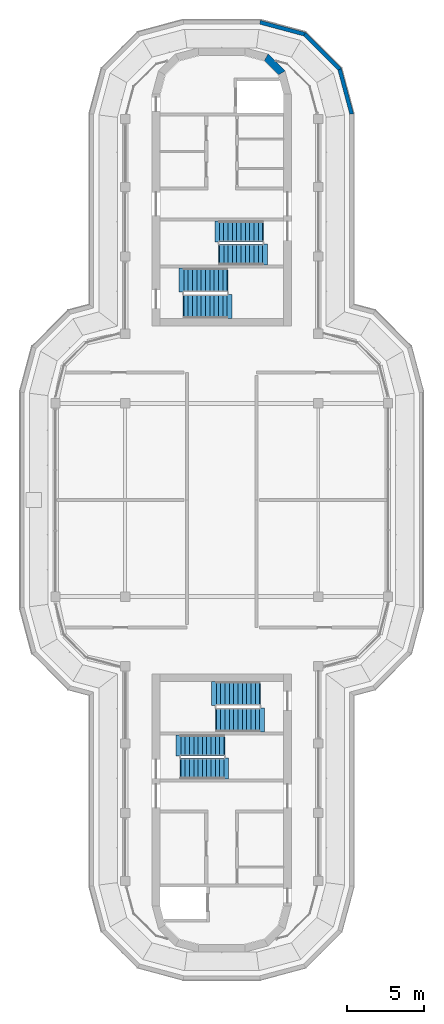
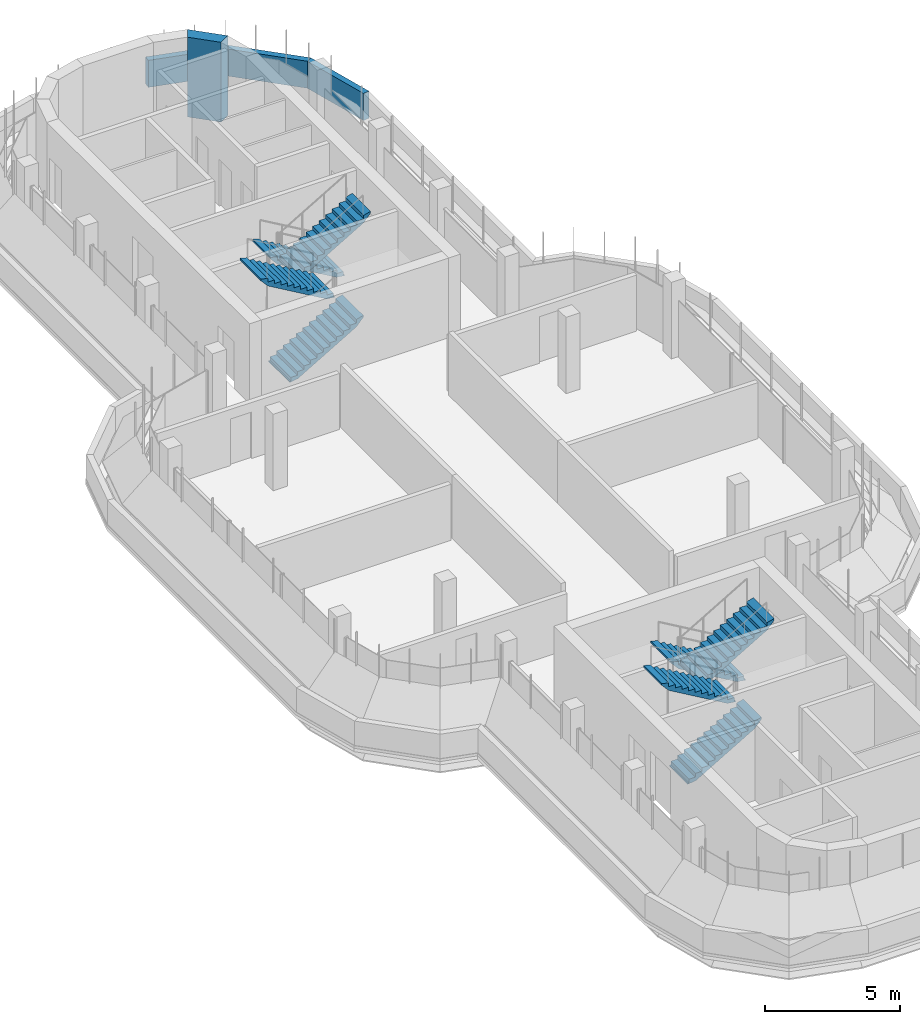
# One storey, part 10 of 13: 8 stair flights, 4 walls, 4 elements without a shape of their own.
"""IFC4 building model written with IfcOpenShell, lengths in metres."""

from ifc_helpers import new_model, si_unit, direction, frame, origin, place, context, subcontext, project, spatial, polyline, outline, extrude, material, layer, layer_set, type_object, element, aggregate, save


model = new_model("IFC4")

# Units and contexts
model_context = context("Model", 3, precision=1e-05, world=origin(), true_north=direction((0.0, 1.0)))
body_context = subcontext(model_context, "Body", "Model", "MODEL_VIEW")
ifc_project = project(units=[si_unit("LENGTHUNIT", "METRE"), si_unit("AREAUNIT", "SQUARE_METRE"), si_unit("VOLUMEUNIT", "CUBIC_METRE"), si_unit("PLANEANGLEUNIT", "RADIAN"), si_unit("MASSUNIT", "GRAM", prefix="KILO")], contexts=[model_context])

# Site, building, storey
site_placement = place(None, origin())
site = spatial("IfcSite", under=ifc_project, at=site_placement, CompositionType="ELEMENT")
building_placement = place(site_placement, origin())
building = spatial("IfcBuilding", under=site, at=building_placement, Name="Zarbagh Exchange Tower", CompositionType="ELEMENT")
storey_placement = place(building_placement, frame((0.0, 0.0, 302.39990234375)))
storey = spatial("IfcBuildingStorey", under=building, at=storey_placement, Name="L74", CompositionType="ELEMENT", Elevation=302.39990234375)

# Walls
ifc_material = material(Name="Concrete C40/50", Category="concrete")
ifc_layer_1 = layer(ifc_material, 0.25)
ifc_layer_set_1 = layer_set([ifc_layer_1], Name="Parapet wall, concrete C40/50")
wall_type_1 = type_object("IfcWallType", Name="Parapet wall, concrete C40/50", PredefinedType="PARAPET", material=ifc_layer_set_1)
wall_1_placement = place(storey_placement, origin())
element("IfcWall", 1, at=wall_1_placement, inside=storey, type_object=wall_type_1, Name="roof parapet", PredefinedType="PARAPET", context=body_context, shape_type="SweptSolid", body=[
    extrude(outline(polyline([(2.484375, 31.030029296875), (5.42138671875, 30.242919921875), (5.2919921875, 30.018798828125), (2.451416015625, 30.780029296875), (2.484375, 31.030029296875)])), origin(), (0.0, 0.0, 1.0), 1.22021484375),
])
wall_2_placement = place(storey_placement, origin())
element("IfcWall", 2, at=wall_2_placement, inside=storey, type_object=wall_type_1, Name="roof parapet", PredefinedType="PARAPET", context=body_context, shape_type="SweptSolid", body=[
    extrude(outline(polyline([(5.42138671875, 30.242919921875), (7.742919921875, 27.92138671875), (7.518798828125, 27.7919921875), (5.2919921875, 30.018798828125), (5.42138671875, 30.242919921875)])), origin(), (0.0, 0.0, 1.0), 1.22021484375),
])
wall_3_placement = place(storey_placement, origin())
element("IfcWall", 3, at=wall_3_placement, inside=storey, type_object=wall_type_1, Name="roof parapet", PredefinedType="PARAPET", context=body_context, shape_type="SweptSolid", body=[
    extrude(outline(polyline([(7.742919921875, 27.92138671875), (8.530029296875, 24.984375), (8.280029296875, 24.951416015625), (7.518798828125, 27.7919921875), (7.742919921875, 27.92138671875)])), origin(), (0.0, 0.0, 1.0), 1.22021484375),
])
ifc_layer_2 = layer(ifc_material, 0.5)
ifc_layer_set_2 = layer_set([ifc_layer_2], Name="RC core corner wall 500 C40/50")
wall_type_2 = type_object("IfcWallType", Name="RC core corner wall 500 C40/50", PredefinedType="SHEAR", material=ifc_layer_set_2)
wall_4_placement = place(storey_placement, origin())
element("IfcWall", 4, at=wall_4_placement, inside=storey, type_object=wall_type_2, Name="CW10 core N corner E", PredefinedType="SHEAR", context=body_context, shape_type="SweptSolid", body=[
    extrude(outline(polyline([(4.09814453125, 27.75), (3.0, 28.84814453125), (2.75, 28.4150390625), (3.6650390625, 27.5), (4.09814453125, 27.75)])), origin(), (0.0, 0.0, 1.0), 3.60009765625),
])

# Stair, stair flights
stair_type = type_object("IfcStairType", Name="Exit stair two-flight half-turn", PredefinedType="HALF_TURN_STAIR", material=ifc_material)
stair_1_placement = place(storey_placement, origin())
stair_1 = element("IfcStair", 5, at=stair_1_placement, inside=storey, type_object=stair_type, Name="exit stair ST1", PredefinedType="HALF_TURN_STAIR")
stair_flight_type_1 = type_object("IfcStairFlightType", Name="Stair flight 1350 mm", PredefinedType="STRAIGHT", material=ifc_material)
stair_flight_1_placement = place(storey_placement, frame((2.64990234375, 17.375, 0.0), z_axis=(0.0, 0.0, 1.0), x_axis=(-1.0, 0.0, 0.0)))
stair_flight_1 = element("IfcStairFlight", 6, at=stair_flight_1_placement, type_object=stair_flight_type_1, Name="ST1 flight 1", NumberOfRisers=11, NumberOfTreads=10, PredefinedType="STRAIGHT", RiserHeight=0.163636364, TreadLength=0.28, context=body_context, shape_type="SweptSolid", body=[
    extrude(outline(polyline([(-0.050048828125, -0.050048828125), (-0.050048828125, 0.0), (0.0, 0.0), (0.0, 0.16357421875), (0.280029296875, 0.16357421875), (0.280029296875, 0.327392578125), (0.56005859375, 0.327392578125), (0.56005859375, 0.490966796875), (0.840087890625, 0.490966796875), (0.840087890625, 0.654541015625), (1.1201171875, 0.654541015625), (1.1201171875, 0.818115234375), (1.39990234375, 0.818115234375), (1.39990234375, 0.98193359375), (1.679931640625, 0.98193359375), (1.679931640625, 1.1455078125), (1.9599609375, 1.1455078125), (1.9599609375, 1.30908203125), (2.239990234375, 1.30908203125), (2.239990234375, 1.47265625), (2.52001953125, 1.47265625), (2.52001953125, 1.636474609375), (2.800048828125, 1.636474609375), (2.800048828125, 1.800048828125), (3.10009765625, 1.8798828125), (3.10009765625, 1.800048828125), (2.800048828125, 1.462646484375), (0.297119140625, 0.0), (-0.050048828125, -0.050048828125)])), frame((0.0, 0.675048828125, 0.0), z_axis=(0.0, -1.0, 0.0), x_axis=(1.0, 0.0, 0.0)), (0.0, 0.0, 1.0), 1.35009765625),
])
stair_flight_2_placement = place(storey_placement, frame((-0.14990234375, 15.875, 1.800048828125), z_axis=(0.0, 0.0, 1.0), x_axis=(1.0, 0.0, 0.0)))
stair_flight_2 = element("IfcStairFlight", 7, at=stair_flight_2_placement, type_object=stair_flight_type_1, Name="ST1 flight 2", NumberOfRisers=11, NumberOfTreads=10, PredefinedType="STRAIGHT", RiserHeight=0.163636364, TreadLength=0.28, context=body_context, shape_type="SweptSolid", body=[
    extrude(outline(polyline([(-0.050048828125, -0.050048828125), (-0.050048828125, 0.0), (0.0, 0.0), (0.0, 0.16357421875), (0.280029296875, 0.16357421875), (0.280029296875, 0.327392578125), (0.56005859375, 0.327392578125), (0.56005859375, 0.490966796875), (0.840087890625, 0.490966796875), (0.840087890625, 0.654541015625), (1.1201171875, 0.654541015625), (1.1201171875, 0.818115234375), (1.39990234375, 0.818115234375), (1.39990234375, 0.98193359375), (1.679931640625, 0.98193359375), (1.679931640625, 1.1455078125), (1.9599609375, 1.1455078125), (1.9599609375, 1.30908203125), (2.239990234375, 1.30908203125), (2.239990234375, 1.47265625), (2.52001953125, 1.47265625), (2.52001953125, 1.636474609375), (2.800048828125, 1.636474609375), (2.800048828125, 1.800048828125), (3.10009765625, 1.8798828125), (3.10009765625, 1.800048828125), (2.800048828125, 1.462646484375), (0.297119140625, 0.0), (-0.050048828125, -0.050048828125)])), frame((0.0, 0.675048828125, 0.0), z_axis=(0.0, -1.0, 0.0), x_axis=(1.0, 0.0, 0.0)), (0.0, 0.0, 1.0), 1.35009765625),
])
aggregate(stair_1, [stair_flight_1, stair_flight_2])

stair_2_placement = place(storey_placement, origin())
stair_2 = element("IfcStair", 8, at=stair_2_placement, inside=storey, type_object=stair_type, Name="exit stair ST3", PredefinedType="HALF_TURN_STAIR")
stair_flight_3_placement = place(storey_placement, frame((-2.64990234375, -17.375, 0.0), z_axis=(0.0, 0.0, 1.0), x_axis=(1.0, 0.0, 0.0)))
stair_flight_3 = element("IfcStairFlight", 9, at=stair_flight_3_placement, type_object=stair_flight_type_1, Name="ST3 flight 1", NumberOfRisers=11, NumberOfTreads=10, PredefinedType="STRAIGHT", RiserHeight=0.163636364, TreadLength=0.28, context=body_context, shape_type="SweptSolid", body=[
    extrude(outline(polyline([(-0.050048828125, -0.050048828125), (-0.050048828125, 0.0), (0.0, 0.0), (0.0, 0.16357421875), (0.280029296875, 0.16357421875), (0.280029296875, 0.327392578125), (0.56005859375, 0.327392578125), (0.56005859375, 0.490966796875), (0.840087890625, 0.490966796875), (0.840087890625, 0.654541015625), (1.1201171875, 0.654541015625), (1.1201171875, 0.818115234375), (1.39990234375, 0.818115234375), (1.39990234375, 0.98193359375), (1.679931640625, 0.98193359375), (1.679931640625, 1.1455078125), (1.9599609375, 1.1455078125), (1.9599609375, 1.30908203125), (2.239990234375, 1.30908203125), (2.239990234375, 1.47265625), (2.52001953125, 1.47265625), (2.52001953125, 1.636474609375), (2.800048828125, 1.636474609375), (2.800048828125, 1.800048828125), (3.10009765625, 1.8798828125), (3.10009765625, 1.800048828125), (2.800048828125, 1.462646484375), (0.297119140625, 0.0), (-0.050048828125, -0.050048828125)])), frame((0.0, 0.675048828125, 0.0), z_axis=(0.0, -1.0, 0.0), x_axis=(1.0, 0.0, 0.0)), (0.0, 0.0, 1.0), 1.35009765625),
])
stair_flight_4_placement = place(storey_placement, frame((0.14990234375, -15.875, 1.800048828125), z_axis=(0.0, 0.0, 1.0), x_axis=(-1.0, 0.0, 0.0)))
stair_flight_4 = element("IfcStairFlight", 10, at=stair_flight_4_placement, type_object=stair_flight_type_1, Name="ST3 flight 2", NumberOfRisers=11, NumberOfTreads=10, PredefinedType="STRAIGHT", RiserHeight=0.163636364, TreadLength=0.28, context=body_context, shape_type="SweptSolid", body=[
    extrude(outline(polyline([(-0.050048828125, -0.050048828125), (-0.050048828125, 0.0), (0.0, 0.0), (0.0, 0.16357421875), (0.280029296875, 0.16357421875), (0.280029296875, 0.327392578125), (0.56005859375, 0.327392578125), (0.56005859375, 0.490966796875), (0.840087890625, 0.490966796875), (0.840087890625, 0.654541015625), (1.1201171875, 0.654541015625), (1.1201171875, 0.818115234375), (1.39990234375, 0.818115234375), (1.39990234375, 0.98193359375), (1.679931640625, 0.98193359375), (1.679931640625, 1.1455078125), (1.9599609375, 1.1455078125), (1.9599609375, 1.30908203125), (2.239990234375, 1.30908203125), (2.239990234375, 1.47265625), (2.52001953125, 1.47265625), (2.52001953125, 1.636474609375), (2.800048828125, 1.636474609375), (2.800048828125, 1.800048828125), (3.10009765625, 1.8798828125), (3.10009765625, 1.800048828125), (2.800048828125, 1.462646484375), (0.297119140625, 0.0), (-0.050048828125, -0.050048828125)])), frame((0.0, 0.675048828125, 0.0), z_axis=(0.0, -1.0, 0.0), x_axis=(1.0, 0.0, 0.0)), (0.0, 0.0, 1.0), 1.35009765625),
])
aggregate(stair_2, [stair_flight_3, stair_flight_4])

stair_3_placement = place(storey_placement, origin())
stair_3 = element("IfcStair", 11, at=stair_3_placement, inside=storey, type_object=stair_type, Name="exit stair ST2", PredefinedType="HALF_TURN_STAIR")
stair_flight_type_2 = type_object("IfcStairFlightType", Name="Stair flight 1550 mm", PredefinedType="STRAIGHT", material=ifc_material)
stair_flight_5_placement = place(storey_placement, frame((-2.449951171875, 12.52490234375, 0.0), z_axis=(0.0, 0.0, 1.0), x_axis=(1.0, 0.0, 0.0)))
stair_flight_5 = element("IfcStairFlight", 12, at=stair_flight_5_placement, type_object=stair_flight_type_2, Name="ST2 flight 1", NumberOfRisers=11, NumberOfTreads=10, PredefinedType="STRAIGHT", RiserHeight=0.163636364, TreadLength=0.28, context=body_context, shape_type="SweptSolid", body=[
    extrude(outline(polyline([(-0.050048828125, -0.050048828125), (-0.050048828125, 0.0), (0.0, 0.0), (0.0, 0.16357421875), (0.280029296875, 0.16357421875), (0.280029296875, 0.327392578125), (0.56005859375, 0.327392578125), (0.56005859375, 0.490966796875), (0.840087890625, 0.490966796875), (0.840087890625, 0.654541015625), (1.1201171875, 0.654541015625), (1.1201171875, 0.818115234375), (1.39990234375, 0.818115234375), (1.39990234375, 0.98193359375), (1.679931640625, 0.98193359375), (1.679931640625, 1.1455078125), (1.9599609375, 1.1455078125), (1.9599609375, 1.30908203125), (2.239990234375, 1.30908203125), (2.239990234375, 1.47265625), (2.52001953125, 1.47265625), (2.52001953125, 1.636474609375), (2.800048828125, 1.636474609375), (2.800048828125, 1.800048828125), (3.10009765625, 1.8798828125), (3.10009765625, 1.800048828125), (2.800048828125, 1.462646484375), (0.297119140625, 0.0), (-0.050048828125, -0.050048828125)])), frame((0.0, 0.77490234375, 0.0), z_axis=(0.0, -1.0, 0.0), x_axis=(1.0, 0.0, 0.0)), (0.0, 0.0, 1.0), 1.550048828125),
])
stair_flight_6_placement = place(storey_placement, frame((0.35009765625, 14.22509765625, 1.800048828125), z_axis=(0.0, 0.0, 1.0), x_axis=(-1.0, 0.0, 0.0)))
stair_flight_6 = element("IfcStairFlight", 13, at=stair_flight_6_placement, type_object=stair_flight_type_2, Name="ST2 flight 2", NumberOfRisers=11, NumberOfTreads=10, PredefinedType="STRAIGHT", RiserHeight=0.163636364, TreadLength=0.28, context=body_context, shape_type="SweptSolid", body=[
    extrude(outline(polyline([(-0.050048828125, -0.050048828125), (-0.050048828125, 0.0), (0.0, 0.0), (0.0, 0.16357421875), (0.280029296875, 0.16357421875), (0.280029296875, 0.327392578125), (0.56005859375, 0.327392578125), (0.56005859375, 0.490966796875), (0.840087890625, 0.490966796875), (0.840087890625, 0.654541015625), (1.1201171875, 0.654541015625), (1.1201171875, 0.818115234375), (1.39990234375, 0.818115234375), (1.39990234375, 0.98193359375), (1.679931640625, 0.98193359375), (1.679931640625, 1.1455078125), (1.9599609375, 1.1455078125), (1.9599609375, 1.30908203125), (2.239990234375, 1.30908203125), (2.239990234375, 1.47265625), (2.52001953125, 1.47265625), (2.52001953125, 1.636474609375), (2.800048828125, 1.636474609375), (2.800048828125, 1.800048828125), (3.10009765625, 1.8798828125), (3.10009765625, 1.800048828125), (2.800048828125, 1.462646484375), (0.297119140625, 0.0), (-0.050048828125, -0.050048828125)])), frame((0.0, 0.77490234375, 0.0), z_axis=(0.0, -1.0, 0.0), x_axis=(1.0, 0.0, 0.0)), (0.0, 0.0, 1.0), 1.550048828125),
])
aggregate(stair_3, [stair_flight_5, stair_flight_6])

stair_4_placement = place(storey_placement, origin())
stair_4 = element("IfcStair", 14, at=stair_4_placement, inside=storey, type_object=stair_type, Name="exit stair ST4", PredefinedType="HALF_TURN_STAIR")
stair_flight_7_placement = place(storey_placement, frame((2.449951171875, -12.52490234375, 0.0), z_axis=(0.0, 0.0, 1.0), x_axis=(-1.0, 0.0, 0.0)))
stair_flight_7 = element("IfcStairFlight", 15, at=stair_flight_7_placement, type_object=stair_flight_type_2, Name="ST4 flight 1", NumberOfRisers=11, NumberOfTreads=10, PredefinedType="STRAIGHT", RiserHeight=0.163636364, TreadLength=0.28, context=body_context, shape_type="SweptSolid", body=[
    extrude(outline(polyline([(-0.050048828125, -0.050048828125), (-0.050048828125, 0.0), (0.0, 0.0), (0.0, 0.16357421875), (0.280029296875, 0.16357421875), (0.280029296875, 0.327392578125), (0.56005859375, 0.327392578125), (0.56005859375, 0.490966796875), (0.840087890625, 0.490966796875), (0.840087890625, 0.654541015625), (1.1201171875, 0.654541015625), (1.1201171875, 0.818115234375), (1.39990234375, 0.818115234375), (1.39990234375, 0.98193359375), (1.679931640625, 0.98193359375), (1.679931640625, 1.1455078125), (1.9599609375, 1.1455078125), (1.9599609375, 1.30908203125), (2.239990234375, 1.30908203125), (2.239990234375, 1.47265625), (2.52001953125, 1.47265625), (2.52001953125, 1.636474609375), (2.800048828125, 1.636474609375), (2.800048828125, 1.800048828125), (3.10009765625, 1.8798828125), (3.10009765625, 1.800048828125), (2.800048828125, 1.462646484375), (0.297119140625, 0.0), (-0.050048828125, -0.050048828125)])), frame((0.0, 0.77490234375, 0.0), z_axis=(0.0, -1.0, 0.0), x_axis=(1.0, 0.0, 0.0)), (0.0, 0.0, 1.0), 1.550048828125),
])
stair_flight_8_placement = place(storey_placement, frame((-0.35009765625, -14.22509765625, 1.800048828125), z_axis=(0.0, 0.0, 1.0), x_axis=(1.0, 0.0, 0.0)))
stair_flight_8 = element("IfcStairFlight", 16, at=stair_flight_8_placement, type_object=stair_flight_type_2, Name="ST4 flight 2", NumberOfRisers=11, NumberOfTreads=10, PredefinedType="STRAIGHT", RiserHeight=0.163636364, TreadLength=0.28, context=body_context, shape_type="SweptSolid", body=[
    extrude(outline(polyline([(-0.050048828125, -0.050048828125), (-0.050048828125, 0.0), (0.0, 0.0), (0.0, 0.16357421875), (0.280029296875, 0.16357421875), (0.280029296875, 0.327392578125), (0.56005859375, 0.327392578125), (0.56005859375, 0.490966796875), (0.840087890625, 0.490966796875), (0.840087890625, 0.654541015625), (1.1201171875, 0.654541015625), (1.1201171875, 0.818115234375), (1.39990234375, 0.818115234375), (1.39990234375, 0.98193359375), (1.679931640625, 0.98193359375), (1.679931640625, 1.1455078125), (1.9599609375, 1.1455078125), (1.9599609375, 1.30908203125), (2.239990234375, 1.30908203125), (2.239990234375, 1.47265625), (2.52001953125, 1.47265625), (2.52001953125, 1.636474609375), (2.800048828125, 1.636474609375), (2.800048828125, 1.800048828125), (3.10009765625, 1.8798828125), (3.10009765625, 1.800048828125), (2.800048828125, 1.462646484375), (0.297119140625, 0.0), (-0.050048828125, -0.050048828125)])), frame((0.0, 0.77490234375, 0.0), z_axis=(0.0, -1.0, 0.0), x_axis=(1.0, 0.0, 0.0)), (0.0, 0.0, 1.0), 1.550048828125),
])
aggregate(stair_4, [stair_flight_7, stair_flight_8])

save(model, "model.ifc")
